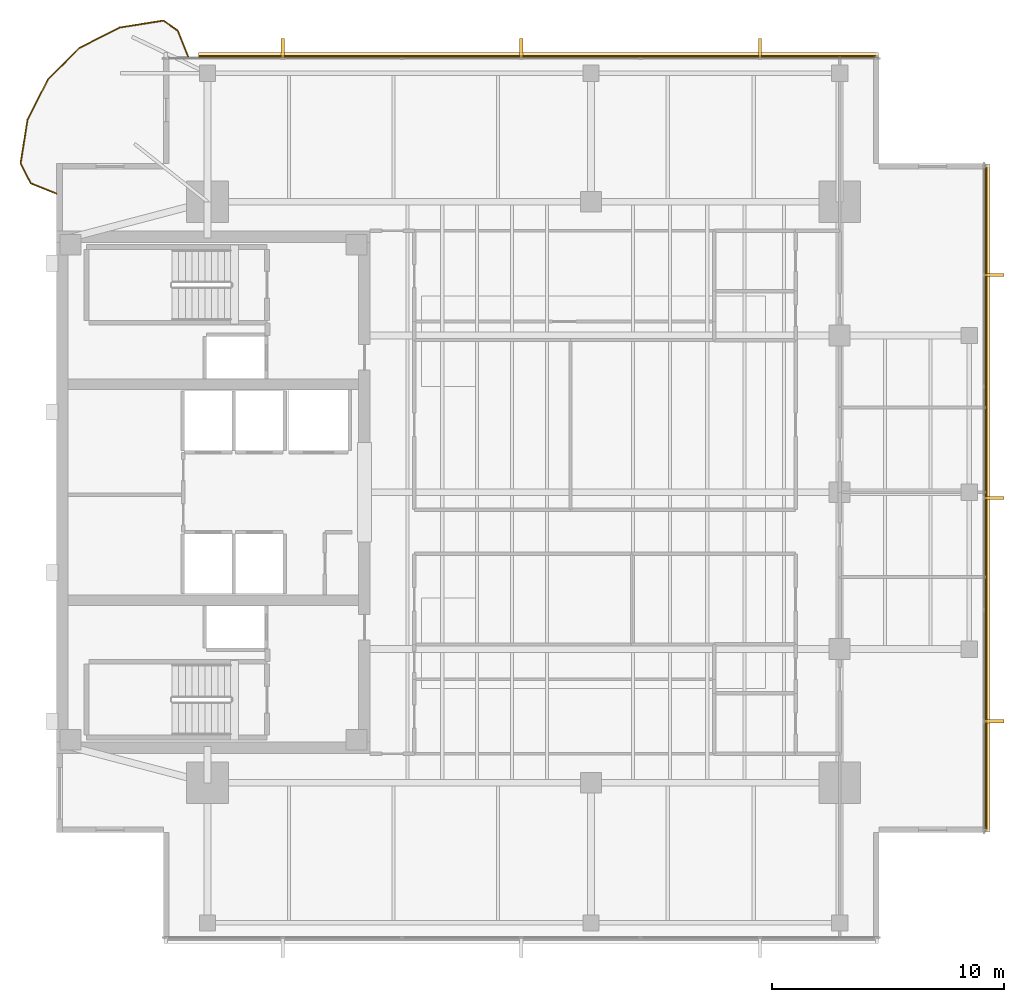
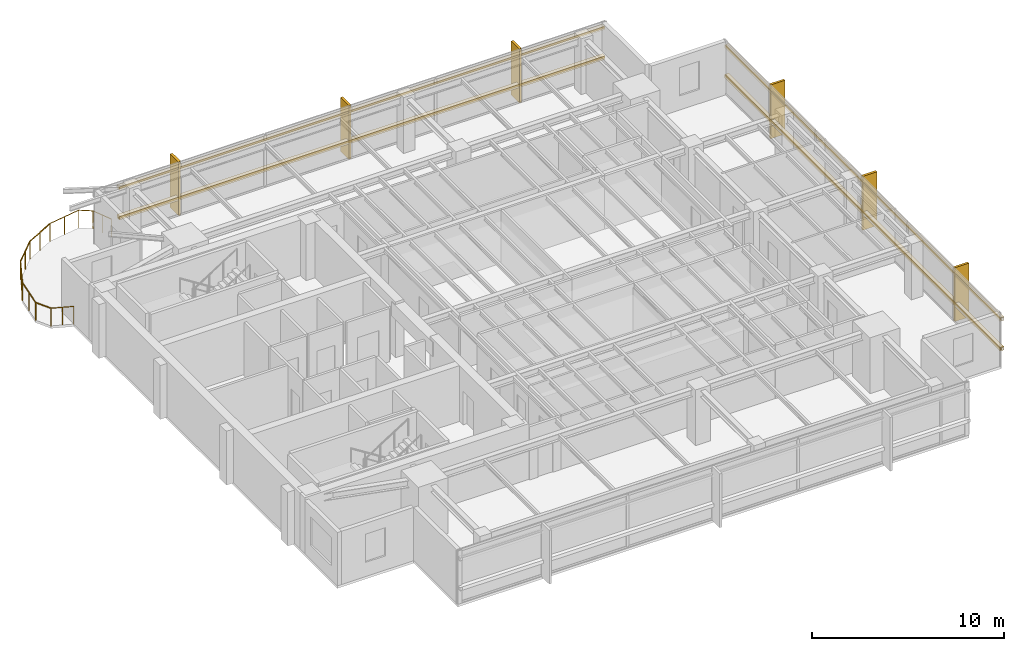
# One storey, part 14 of 14: 10 coverings, 9 railings, 4 shading devices.
"""IFC4 building model written with IfcOpenShell, lengths in metres."""

from ifc_helpers import new_model, si_unit, direction, frame, origin, origin_2d, place, context, subcontext, project, spatial, polyline, rectangle, circle, outline, extrude, material, layer, layer_set, material_profile, profile_set, type_object, element, save


model = new_model("IFC4")

# Units and contexts
model_context = context("Model", 3, precision=1e-05, world=origin(), true_north=direction((0.0, 1.0)))
body_context = subcontext(model_context, "Body", "Model", "MODEL_VIEW")
ifc_project = project(units=[si_unit("LENGTHUNIT", "METRE"), si_unit("AREAUNIT", "SQUARE_METRE"), si_unit("VOLUMEUNIT", "CUBIC_METRE"), si_unit("PLANEANGLEUNIT", "RADIAN"), si_unit("MASSUNIT", "GRAM", prefix="KILO")], contexts=[model_context])

# Site, building, storey
site_placement = place(None, origin())
site = spatial("IfcSite", under=ifc_project, at=site_placement, CompositionType="ELEMENT")
building_placement = place(site_placement, origin())
building = spatial("IfcBuilding", under=site, at=building_placement, Name="Kinhvarn Gate Tower", CompositionType="ELEMENT")
storey_placement = place(building_placement, frame((0.0, 0.0, 252.800048828125)))
storey = spatial("IfcBuildingStorey", under=building, at=storey_placement, Name="L67", CompositionType="ELEMENT", Elevation=252.800048828125)

# Coverings
ifc_material_1 = material(Name="Fired architectural terracotta", Category="masonry")
ifc_layer_1 = layer(ifc_material_1, 0.239990234375)
ifc_layer_set_1 = layer_set([ifc_layer_1], Name="Fired architectural terracotta")
covering_type_1 = type_object("IfcCoveringType", Name="COV-BAG-220", PredefinedType="CLADDING", material=ifc_layer_set_1)
covering_1_placement = place(storey_placement, frame((0.0, 0.0, 0.93994140625)))
element("IfcCovering", 1, at=covering_1_placement, inside=storey, type_object=covering_type_1, Name="Terracotta Horizontal Sunscreen Band TBG-220 (L67)", PredefinedType="CLADDING", context=body_context, shape_type="SweptSolid", body=[
    extrude(outline(polyline([(39.860107421875, 43.929931640625), (10.615966796875, 43.929931640625), (10.615966796875, 44.169921875), (39.860107421875, 44.169921875), (39.860107421875, 43.929931640625)])), origin(), (0.0, 0.0, 1.0), 0.219970703125),
])
covering_2_placement = place(storey_placement, frame((0.0, 0.0, 2.829833984375)))
element("IfcCovering", 2, at=covering_2_placement, inside=storey, type_object=covering_type_1, Name="Terracotta Horizontal Sunscreen Band TBG-220 (L67)", PredefinedType="CLADDING", context=body_context, shape_type="SweptSolid", body=[
    extrude(outline(polyline([(39.860107421875, 43.929931640625), (10.615966796875, 43.929931640625), (10.615966796875, 44.169921875), (39.860107421875, 44.169921875), (39.860107421875, 43.929931640625)])), origin(), (0.0, 0.0, 1.0), 0.22021484375),
])
covering_3_placement = place(storey_placement, frame((0.0, 0.0, 0.93994140625)))
element("IfcCovering", 3, at=covering_3_placement, inside=storey, type_object=covering_type_1, Name="Terracotta Horizontal Sunscreen Band TBG-220 (L67)", PredefinedType="CLADDING", context=body_context, shape_type="SweptSolid", body=[
    extrude(outline(polyline([(44.429931640625, 10.639892578125), (44.429931640625, 39.360107421875), (44.669921875, 39.360107421875), (44.669921875, 10.639892578125), (44.429931640625, 10.639892578125)])), origin(), (0.0, 0.0, 1.0), 0.219970703125),
])
covering_4_placement = place(storey_placement, frame((0.0, 0.0, 2.829833984375)))
element("IfcCovering", 4, at=covering_4_placement, inside=storey, type_object=covering_type_1, Name="Terracotta Horizontal Sunscreen Band TBG-220 (L67)", PredefinedType="CLADDING", context=body_context, shape_type="SweptSolid", body=[
    extrude(outline(polyline([(44.429931640625, 10.639892578125), (44.429931640625, 39.360107421875), (44.669921875, 39.360107421875), (44.669921875, 10.639892578125), (44.429931640625, 10.639892578125)])), origin(), (0.0, 0.0, 1.0), 0.22021484375),
])
ifc_layer_2 = layer(ifc_material_1, 0.139892578125)
ifc_layer_set_2 = layer_set([ifc_layer_2], Name="Fired architectural terracotta")
covering_type_2 = type_object("IfcCoveringType", Name="COV-FIN-850", PredefinedType="CLADDING", material=ifc_layer_set_2)
covering_5_placement = place(storey_placement, frame((0.0, 0.0, -0.02001953125)))
element("IfcCovering", 5, at=covering_5_placement, inside=storey, type_object=covering_type_2, Name="Vertical Terracotta Expressive Fin TFN-850 (L67)", PredefinedType="CLADDING", context=body_context, shape_type="SweptSolid", body=[
    extrude(outline(polyline([(34.836669921875, 43.919921875), (34.69677734375, 43.919921875), (34.69677734375, 44.77001953125), (34.836669921875, 44.77001953125), (34.836669921875, 43.919921875)])), origin(), (0.0, 0.0, 1.0), 3.429931640625),
])
covering_6_placement = place(storey_placement, frame((0.0, 0.0, -0.02001953125)))
element("IfcCovering", 6, at=covering_6_placement, inside=storey, type_object=covering_type_2, Name="Vertical Terracotta Expressive Fin TFN-850 (L67)", PredefinedType="CLADDING", context=body_context, shape_type="SweptSolid", body=[
    extrude(outline(polyline([(24.570068359375, 43.919921875), (24.429931640625, 43.919921875), (24.429931640625, 44.77001953125), (24.570068359375, 44.77001953125), (24.570068359375, 43.919921875)])), origin(), (0.0, 0.0, 1.0), 3.429931640625),
])
covering_7_placement = place(storey_placement, frame((0.0, 0.0, -0.02001953125)))
element("IfcCovering", 7, at=covering_7_placement, inside=storey, type_object=covering_type_2, Name="Vertical Terracotta Expressive Fin TFN-850 (L67)", PredefinedType="CLADDING", context=body_context, shape_type="SweptSolid", body=[
    extrude(outline(polyline([(14.30322265625, 43.919921875), (14.163330078125, 43.919921875), (14.163330078125, 44.77001953125), (14.30322265625, 44.77001953125), (14.30322265625, 43.919921875)])), origin(), (0.0, 0.0, 1.0), 3.429931640625),
])
covering_8_placement = place(storey_placement, frame((0.0, 0.0, -0.02001953125)))
element("IfcCovering", 8, at=covering_8_placement, inside=storey, type_object=covering_type_2, Name="Vertical Terracotta Expressive Fin TFN-850 (L67)", PredefinedType="CLADDING", context=body_context, shape_type="SweptSolid", body=[
    extrude(outline(polyline([(44.419921875, 15.330078125), (44.419921875, 15.469970703125), (45.27001953125, 15.469970703125), (45.27001953125, 15.330078125), (44.419921875, 15.330078125)])), origin(), (0.0, 0.0, 1.0), 3.429931640625),
])
covering_9_placement = place(storey_placement, frame((0.0, 0.0, -0.02001953125)))
element("IfcCovering", 9, at=covering_9_placement, inside=storey, type_object=covering_type_2, Name="Vertical Terracotta Expressive Fin TFN-850 (L67)", PredefinedType="CLADDING", context=body_context, shape_type="SweptSolid", body=[
    extrude(outline(polyline([(44.419921875, 24.929931640625), (44.419921875, 25.070068359375), (45.27001953125, 25.070068359375), (45.27001953125, 24.929931640625), (44.419921875, 24.929931640625)])), origin(), (0.0, 0.0, 1.0), 3.429931640625),
])
covering_10_placement = place(storey_placement, frame((0.0, 0.0, -0.02001953125)))
element("IfcCovering", 10, at=covering_10_placement, inside=storey, type_object=covering_type_2, Name="Vertical Terracotta Expressive Fin TFN-850 (L67)", PredefinedType="CLADDING", context=body_context, shape_type="SweptSolid", body=[
    extrude(outline(polyline([(44.419921875, 34.530029296875), (44.419921875, 34.669921875), (45.27001953125, 34.669921875), (45.27001953125, 34.530029296875), (44.419921875, 34.530029296875)])), origin(), (0.0, 0.0, 1.0), 3.429931640625),
])

# Railings
ifc_material_2 = material(Name="Clear low-e double glazing", Category="glass")
railing_type = type_object("IfcRailingType", Name="RL-BAL-1150", PredefinedType="BALUSTRADE", material=ifc_material_2)
railing_1_placement = place(storey_placement, frame((10.166015625, 44.0, 0.0)))
element("IfcRailing", 11, at=railing_1_placement, inside=storey, type_object=railing_type, Name="S-Carve Balcony Guardrail Seg 1 (L67)", PredefinedType="BALUSTRADE", context=body_context, shape_type="SweptSolid", body=[
    extrude(circle(Radius=0.02392578125, at=origin_2d()), frame((0.0, 0.0, 1.1259765625), z_axis=(-0.374577302421, 0.927195688359, 0.0), x_axis=(-0.927195688359, -0.374577302421, 0.0)), (0.0, 0.0, 1.0), 1.201171875),
    extrude(circle(Radius=0.02099609375, at=origin_2d()), origin(), (0.0, 0.0, 1.0), 1.101806640625),
    extrude(circle(Radius=0.02099609375, at=origin_2d()), frame((-0.22509765625, 0.556884765625, 0.0)), (0.0, 0.0, 1.0), 1.101806640625),
    extrude(circle(Radius=0.02099609375, at=origin_2d()), frame((-0.449951171875, 1.11376953125, 0.0)), (0.0, 0.0, 1.0), 1.101806640625),
])
railing_2_placement = place(storey_placement, frame((9.716064453125, 45.11376953125, 0.0)))
element("IfcRailing", 12, at=railing_2_placement, inside=storey, type_object=railing_type, Name="S-Carve Balcony Guardrail Seg 2 (L67)", PredefinedType="BALUSTRADE", context=body_context, shape_type="SweptSolid", body=[
    extrude(circle(Radius=0.02392578125, at=origin_2d()), frame((0.0, 0.0, 1.1259765625), z_axis=(-0.817874221106, 0.575397044179, 0.0), x_axis=(-0.575397044179, -0.817874221106, 0.0)), (0.0, 0.0, 1.0), 0.753173828125),
    extrude(circle(Radius=0.02099609375, at=origin_2d()), origin(), (0.0, 0.0, 1.0), 1.101806640625),
    extrude(circle(Radius=0.02099609375, at=origin_2d()), frame((-0.615966796875, 0.433349609375, 0.0)), (0.0, 0.0, 1.0), 1.101806640625),
])
railing_3_placement = place(storey_placement, frame((9.10009765625, 45.547119140625, 0.0)))
element("IfcRailing", 13, at=railing_3_placement, inside=storey, type_object=railing_type, Name="S-Carve Balcony Guardrail Seg 3 (L67)", PredefinedType="BALUSTRADE", context=body_context, shape_type="SweptSolid", body=[
    extrude(circle(Radius=0.02392578125, at=origin_2d()), frame((0.0, 0.0, 1.1259765625), z_axis=(-0.987676360975, -0.156510082648, 0.0), x_axis=(0.156510082648, -0.987676360975, 0.0)), (0.0, 0.0, 1.0), 1.92333984375),
    extrude(circle(Radius=0.02099609375, at=origin_2d()), origin(), (0.0, 0.0, 1.0), 1.101806640625),
    extrude(circle(Radius=0.02099609375, at=origin_2d()), frame((-0.94970703125, -0.150390625, 0.0)), (0.0, 0.0, 1.0), 1.101806640625),
    extrude(circle(Radius=0.02099609375, at=origin_2d()), frame((-1.899658203125, -0.301025390625, 0.0)), (0.0, 0.0, 1.0), 1.101806640625),
])
railing_4_placement = place(storey_placement, frame((7.200439453125, 45.24609375, 0.0)))
element("IfcRailing", 14, at=railing_4_placement, inside=storey, type_object=railing_type, Name="S-Carve Balcony Guardrail Seg 4 (L67)", PredefinedType="BALUSTRADE", context=body_context, shape_type="SweptSolid", body=[
    extrude(circle(Radius=0.02392578125, at=origin_2d()), frame((0.0, 0.0, 1.1259765625), z_axis=(-0.891024964857, -0.453954306073, 0.0), x_axis=(0.453954306073, -0.891024964857, 0.0)), (0.0, 0.0, 1.0), 1.923095703125),
    extrude(circle(Radius=0.02099609375, at=origin_2d()), origin(), (0.0, 0.0, 1.0), 1.101806640625),
    extrude(circle(Radius=0.02099609375, at=origin_2d()), frame((-0.85693359375, -0.4365234375, 0.0)), (0.0, 0.0, 1.0), 1.101806640625),
    extrude(circle(Radius=0.02099609375, at=origin_2d()), frame((-1.713623046875, -0.873046875, 0.0)), (0.0, 0.0, 1.0), 1.101806640625),
])
railing_5_placement = place(storey_placement, frame((5.48681640625, 44.373046875, 0.0)))
element("IfcRailing", 15, at=railing_5_placement, inside=storey, type_object=railing_type, Name="S-Carve Balcony Guardrail Seg 5 (L67)", PredefinedType="BALUSTRADE", context=body_context, shape_type="SweptSolid", body=[
    extrude(circle(Radius=0.02392578125, at=origin_2d()), frame((0.0, 0.0, 1.1259765625), z_axis=(-0.707106781187, -0.707106781187, 0.0), x_axis=(0.707106781187, -0.707106781187, 0.0)), (0.0, 0.0, 1.0), 1.923095703125),
    extrude(circle(Radius=0.02099609375, at=origin_2d()), origin(), (0.0, 0.0, 1.0), 1.101806640625),
    extrude(circle(Radius=0.02099609375, at=origin_2d()), frame((-0.679931640625, -0.679931640625, 0.0)), (0.0, 0.0, 1.0), 1.101806640625),
    extrude(circle(Radius=0.02099609375, at=origin_2d()), frame((-1.35986328125, -1.35986328125, 0.0)), (0.0, 0.0, 1.0), 1.101806640625),
])
railing_6_placement = place(storey_placement, frame((4.126953125, 43.01318359375, 0.0)))
element("IfcRailing", 16, at=railing_6_placement, inside=storey, type_object=railing_type, Name="S-Carve Balcony Guardrail Seg 6 (L67)", PredefinedType="BALUSTRADE", context=body_context, shape_type="SweptSolid", body=[
    extrude(circle(Radius=0.02392578125, at=origin_2d()), frame((0.0, 0.0, 1.1259765625), z_axis=(-0.453954306073, -0.891024964857, 0.0), x_axis=(0.891024964857, -0.453954306073, 0.0)), (0.0, 0.0, 1.0), 1.923095703125),
    extrude(circle(Radius=0.02099609375, at=origin_2d()), origin(), (0.0, 0.0, 1.0), 1.101806640625),
    extrude(circle(Radius=0.02099609375, at=origin_2d()), frame((-0.4365234375, -0.85693359375, 0.0)), (0.0, 0.0, 1.0), 1.101806640625),
    extrude(circle(Radius=0.02099609375, at=origin_2d()), frame((-0.873046875, -1.713623046875, 0.0)), (0.0, 0.0, 1.0), 1.101806640625),
])
railing_7_placement = place(storey_placement, frame((3.25390625, 41.299560546875, 0.0)))
element("IfcRailing", 17, at=railing_7_placement, inside=storey, type_object=railing_type, Name="S-Carve Balcony Guardrail Seg 7 (L67)", PredefinedType="BALUSTRADE", context=body_context, shape_type="SweptSolid", body=[
    extrude(circle(Radius=0.02392578125, at=origin_2d()), frame((0.0, 0.0, 1.1259765625), z_axis=(-0.156510082648, -0.987676360975, 0.0), x_axis=(0.987676360975, -0.156510082648, 0.0)), (0.0, 0.0, 1.0), 1.92333984375),
    extrude(circle(Radius=0.02099609375, at=origin_2d()), origin(), (0.0, 0.0, 1.0), 1.101806640625),
    extrude(circle(Radius=0.02099609375, at=origin_2d()), frame((-0.150390625, -0.94970703125, 0.0)), (0.0, 0.0, 1.0), 1.101806640625),
    extrude(circle(Radius=0.02099609375, at=origin_2d()), frame((-0.301025390625, -1.899658203125, 0.0)), (0.0, 0.0, 1.0), 1.101806640625),
])
railing_8_placement = place(storey_placement, frame((2.952880859375, 39.39990234375, 0.0)))
element("IfcRailing", 18, at=railing_8_placement, inside=storey, type_object=railing_type, Name="S-Carve Balcony Guardrail Seg 8 (L67)", PredefinedType="BALUSTRADE", context=body_context, shape_type="SweptSolid", body=[
    extrude(circle(Radius=0.02392578125, at=origin_2d()), frame((0.0, 0.0, 1.1259765625), z_axis=(0.453435882652, -0.891288898351, 0.0), x_axis=(0.891288898351, 0.453435882652, 0.0)), (0.0, 0.0, 1.0), 0.955810546875),
    extrude(circle(Radius=0.02099609375, at=origin_2d()), origin(), (0.0, 0.0, 1.0), 1.101806640625),
    extrude(circle(Radius=0.02099609375, at=origin_2d()), frame((0.433349609375, -0.851806640625, 0.0)), (0.0, 0.0, 1.0), 1.101806640625),
])
railing_9_placement = place(storey_placement, frame((3.38623046875, 38.548095703125, 0.0)))
element("IfcRailing", 19, at=railing_9_placement, inside=storey, type_object=railing_type, Name="S-Carve Balcony Guardrail Seg 9 (L67)", PredefinedType="BALUSTRADE", context=body_context, shape_type="SweptSolid", body=[
    extrude(circle(Radius=0.02392578125, at=origin_2d()), frame((0.0, 0.0, 1.1259765625), z_axis=(0.92712508958, -0.374752009028, 0.0), x_axis=(0.374752009028, 0.92712508958, 0.0)), (0.0, 0.0, 1.0), 1.201416015625),
    extrude(circle(Radius=0.02099609375, at=origin_2d()), origin(), (0.0, 0.0, 1.0), 1.101806640625),
    extrude(circle(Radius=0.02099609375, at=origin_2d()), frame((0.556884765625, -0.22509765625, 0.0)), (0.0, 0.0, 1.0), 1.101806640625),
    extrude(circle(Radius=0.02099609375, at=origin_2d()), frame((1.11376953125, -0.4501953125, 0.0)), (0.0, 0.0, 1.0), 1.101806640625),
])

# Shading devices
ifc_material_profile = material_profile(ifc_material_1, rectangle(XDim=0.050048828125, YDim=0.1201171875, at=origin_2d()), Name="TC 50x120")
ifc_profile_set = profile_set([ifc_material_profile], Name="Fired architectural terracotta")
shading_device_type = type_object("IfcShadingDeviceType", Name="SHD-BAG-140", PredefinedType="USERDEFINED", material=ifc_profile_set)
for number, where, z_axis, x_axis, name in (
    (20, (39.860107421875, 44.0, 1.050048828125), (-1.0, 0.0, 0.0), (0.0, -1.0, 0.0), "Upper Tower Terracotta Baguette Screen Rod 50x120 mm (L67)"),
    (21, (39.860107421875, 44.0, 2.93994140625), (-1.0, 0.0, 0.0), (0.0, -1.0, 0.0), "Upper Tower Terracotta Baguette Screen Rod 50x120 mm (L67)"),
):
    element("IfcShadingDevice", number, at=place(storey_placement, frame(where, z_axis=z_axis, x_axis=x_axis)), inside=storey, type_object=shading_device_type, Name=name, ObjectType="BAGUETTE", PredefinedType="USERDEFINED", context=body_context, shape_type="SweptSolid", body=[
        extrude(rectangle(XDim=0.050048828125, YDim=0.1201171875, at=origin_2d()), origin(), (0.0, 0.0, 1.0), 29.244140625),
    ])
for number, where, z_axis, x_axis, name in (
    (22, (44.5, 10.639892578125, 1.050048828125), (0.0, 1.0, 0.0), (-1.0, 0.0, 0.0), "Upper Tower Terracotta Baguette Screen Rod 50x120 mm (L67)"),
    (23, (44.5, 10.639892578125, 2.93994140625), (0.0, 1.0, 0.0), (-1.0, 0.0, 0.0), "Upper Tower Terracotta Baguette Screen Rod 50x120 mm (L67)"),
):
    element("IfcShadingDevice", number, at=place(storey_placement, frame(where, z_axis=z_axis, x_axis=x_axis)), inside=storey, type_object=shading_device_type, Name=name, ObjectType="BAGUETTE", PredefinedType="USERDEFINED", context=body_context, shape_type="SweptSolid", body=[
        extrude(rectangle(XDim=0.050048828125, YDim=0.1201171875, at=origin_2d()), origin(), (0.0, 0.0, 1.0), 28.72021484375),
    ])

save(model, "model.ifc")
